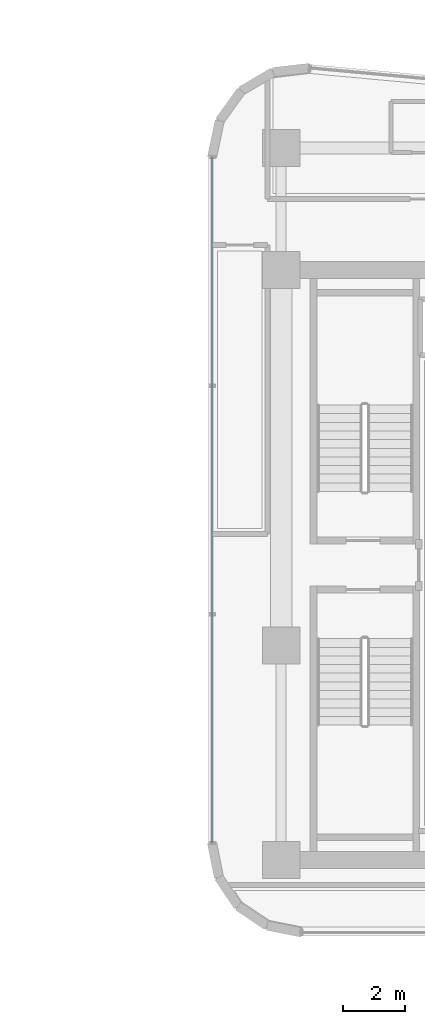
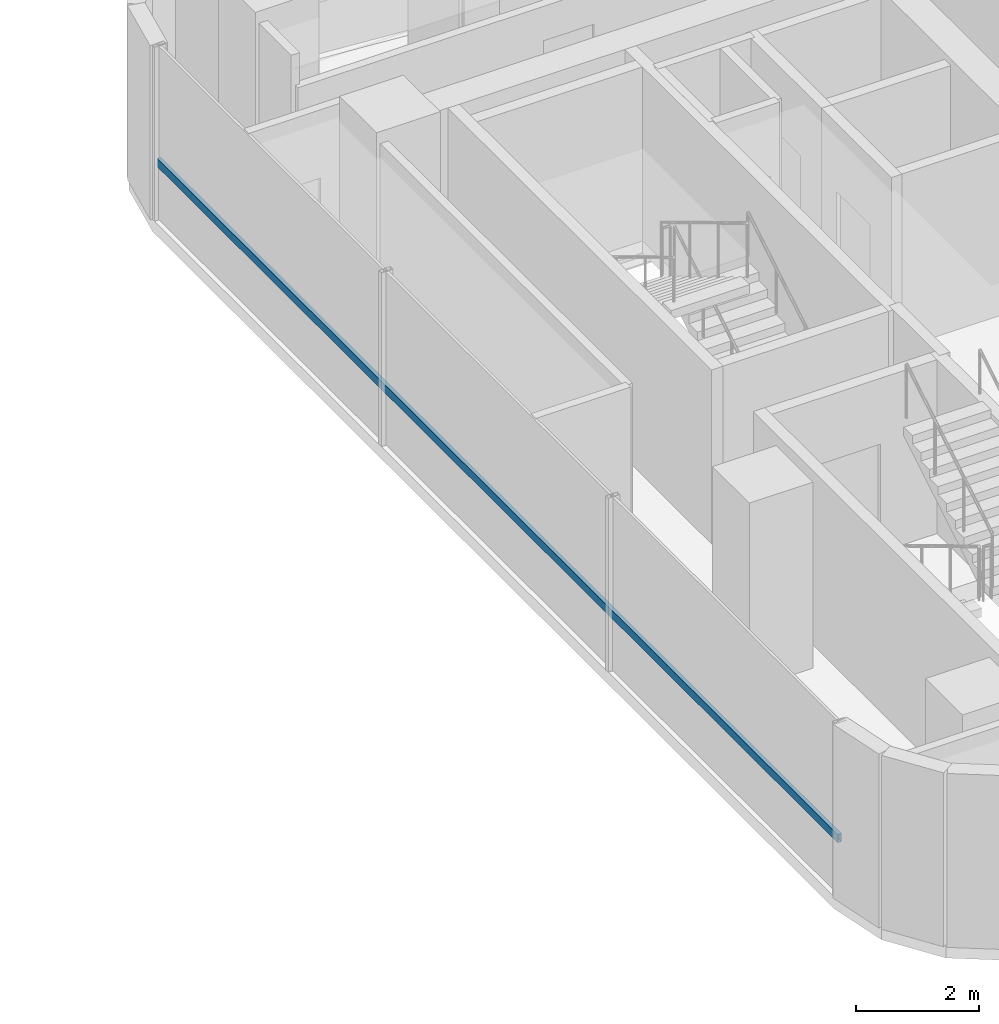
# One storey, part 14 of 33: 1 member, 1 element without a shape of its own.
"""IFC4 building model written with IfcOpenShell, lengths in metres."""

from ifc_helpers import new_model, si_unit, direction, frame, origin, origin_2d, place, context, subcontext, project, spatial, hollow_rectangle, extrude, source, transform, mapped, material, material_profile, profile_set, type_object, element, aggregate, save


model = new_model("IFC4")

# Units and contexts
model_context = context("Model", 3, precision=1e-05, world=origin(), true_north=direction((0.0, 1.0)))
body_context = subcontext(model_context, "Body", "Model", "MODEL_VIEW")
ifc_project = project(units=[si_unit("LENGTHUNIT", "METRE"), si_unit("AREAUNIT", "SQUARE_METRE"), si_unit("VOLUMEUNIT", "CUBIC_METRE"), si_unit("PLANEANGLEUNIT", "RADIAN"), si_unit("MASSUNIT", "GRAM", prefix="KILO")], contexts=[model_context])

# Site, building, storey
site_placement = place(None, origin())
site = spatial("IfcSite", under=ifc_project, at=site_placement, CompositionType="ELEMENT")
building_placement = place(site_placement, origin())
building = spatial("IfcBuilding", under=site, at=building_placement, Name="Valdorenza Pilgrim Sanctuary Tower", CompositionType="ELEMENT")
storey_placement = place(building_placement, frame((0.0, 0.0, 157.5)))
storey = spatial("IfcBuildingStorey", under=building, at=storey_placement, Name="L40", CompositionType="ELEMENT", Elevation=157.5)

# Curtain wall, member
ifc_material_1 = material(Name="Curtain-wall IGU glazing", Category="glass")
curtain_wall_type = type_object("IfcCurtainWallType", Name="CW-SYS-03", PredefinedType="NOTDEFINED", material=ifc_material_1)
curtain_wall_placement = place(storey_placement, origin())
curtain_wall = element("IfcCurtainWall", 1, at=curtain_wall_placement, inside=storey, type_object=curtain_wall_type, Name="L40 Curtain Wall CW-L40-2-1", PredefinedType="NOTDEFINED")
ifc_material_2 = material(Name="Anodised aluminium AW-6060", Category="aluminium")
ifc_material_profile = material_profile(ifc_material_2, hollow_rectangle(XDim=0.074951171875, YDim=0.159912109375, WallThickness=0.00390625, at=origin_2d()), Name="ALU-T 160x75x4")
ifc_profile_set = profile_set([ifc_material_profile], Name="Anodised aluminium AW-6060")
member_type = type_object("IfcMemberType", Name="CW-TRN-03", PredefinedType="USERDEFINED", material=ifc_profile_set)
shared_shape = source(origin(), body_context, "Body", "SweptSolid", [
    extrude(hollow_rectangle(XDim=0.074951171875, YDim=0.159912109375, WallThickness=0.00390625, at=origin_2d()), origin(), (0.0, 0.0, 1.0), 22.18896484375),
])
member_placement = place(storey_placement, frame((13.610107421875, -8.9892578125, 1.1201171875), z_axis=(0.0, 1.0, 0.0), x_axis=(-1.0, 0.0, 0.0)))
member = element("IfcMember", 2, at=member_placement, type_object=member_type, Name="CW-L40-2-1 Transom 1", ObjectType="TRANSOM", PredefinedType="USERDEFINED", context=body_context, shape_type="MappedRepresentation", body=[
    mapped(shared_shape, transform((0.0, 0.0, 0.0), x_axis=(1.0, 0.0, 0.0), y_axis=(0.0, 1.0, 0.0), z_axis=(0.0, 0.0, 1.0), scale=1.0)),
])
aggregate(curtain_wall, [member])

save(model, "model.ifc")
